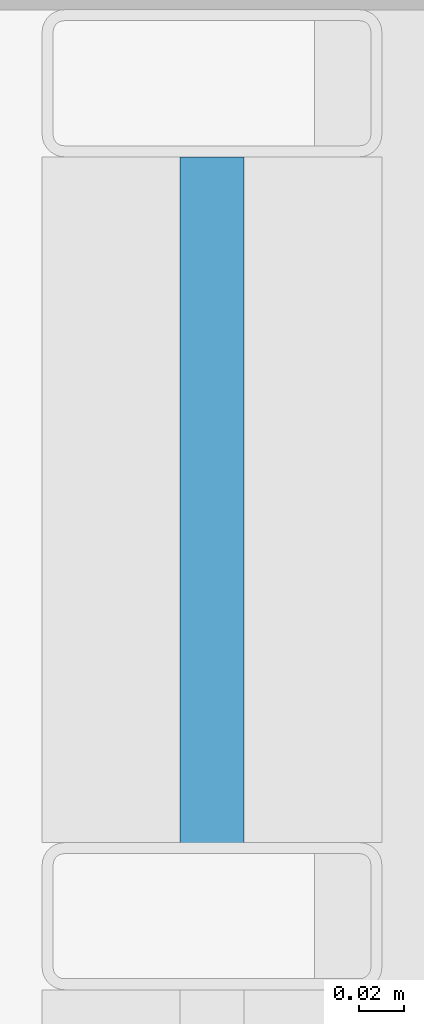
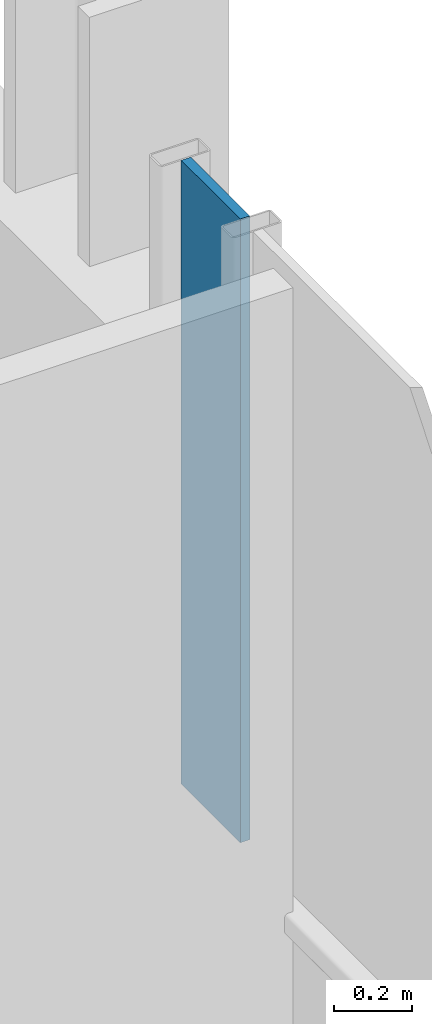
# One storey, part 28 of 40: 1 plate, 1 element without a shape of its own.
"""IFC4 building model written with IfcOpenShell, lengths in metres."""

from ifc_helpers import new_model, si_unit, direction, frame, origin, origin_2d, place, context, subcontext, project, spatial, rectangle, extrude, material, layer, layer_set, type_object, element, aggregate, save


model = new_model("IFC4")

# Units and contexts
model_context = context("Model", 3, precision=1e-05, world=origin(), true_north=direction((0.0, 1.0)))
body_context = subcontext(model_context, "Body", "Model", "MODEL_VIEW")
ifc_project = project(units=[si_unit("LENGTHUNIT", "METRE"), si_unit("AREAUNIT", "SQUARE_METRE"), si_unit("VOLUMEUNIT", "CUBIC_METRE"), si_unit("PLANEANGLEUNIT", "RADIAN"), si_unit("MASSUNIT", "GRAM", prefix="KILO")], contexts=[model_context])

# Site, building, storey
site_placement = place(None, origin())
site = spatial("IfcSite", under=ifc_project, at=site_placement, CompositionType="ELEMENT")
building_placement = place(site_placement, origin())
building = spatial("IfcBuilding", under=site, at=building_placement, Name="Brevholm Reach", CompositionType="ELEMENT")
storey_placement = place(building_placement, frame((0.0, 0.0, 119.0)))
storey = spatial("IfcBuildingStorey", under=building, at=storey_placement, Name="L35", CompositionType="ELEMENT", Elevation=119.0)

# Curtain wall, plate
ifc_material_1 = material(Name="Dark Anodised Aluminium 6063-T6 and Solar-Control Glass", Category="aluminium")
ifc_layer_1 = layer(ifc_material_1, 0.14990234375)
ifc_layer_set_1 = layer_set([ifc_layer_1], Name="Dark Anodised Aluminium 6063-T6 and Solar-Control Glass")
curtain_wall_type = type_object("IfcCurtainWallType", Name="CW-01", PredefinedType="NOTDEFINED", material=ifc_layer_set_1)
curtain_wall_placement = place(storey_placement, origin())
curtain_wall = element("IfcCurtainWall", 1, at=curtain_wall_placement, inside=storey, type_object=curtain_wall_type, Name="L35 Curtain Wall CW-01", PredefinedType="NOTDEFINED")
ifc_material_2 = material(Name="Dark Solar-Control Double-Glazed IGU Glass", Category="glass")
ifc_layer_2 = layer(ifc_material_2, 0.028076171875)
ifc_layer_set_2 = layer_set([ifc_layer_2], Name="Dark Solar-Control Double-Glazed IGU Glass")
plate_type = type_object("IfcPlateType", Name="CWP-GLZ-28", PredefinedType="CURTAIN_PANEL", material=ifc_layer_set_2)
plate_placement = place(storey_placement, frame((59.85009765625, 22.733642578125, 0.9326171875), z_axis=(0.0, 0.0, 1.0), x_axis=(0.0, 1.0, 0.0)))
plate = element("IfcPlate", 2, at=plate_placement, type_object=plate_type, Name="CP-01 Glazing Panel 5.2", PredefinedType="CURTAIN_PANEL", context=body_context, shape_type="SweptSolid", body=[
    extrude(rectangle(XDim=0.302490234375, YDim=0.028076171875, at=origin_2d()), origin(), (0.0, 0.0, 1.0), 1.947509765625),
])
aggregate(curtain_wall, [plate])

save(model, "model.ifc")
